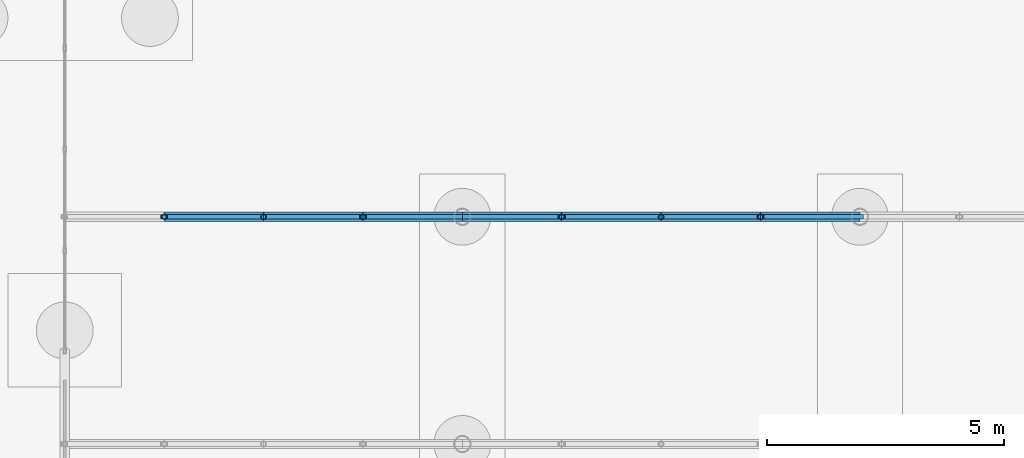
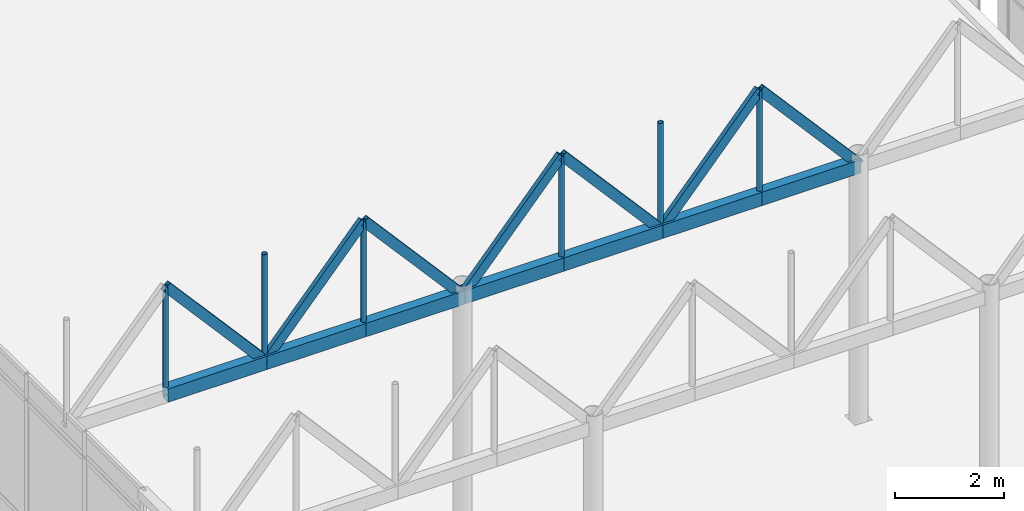
# One storey, part 124 of 212: 20 members.
"""IFC4 building model written with IfcOpenShell, lengths in metres."""

import ifcopenshell
import ifcopenshell.guid

model = None  # the IFC model being written
_history = None  # IfcOwnerHistory: only IFC2X3 demands one
_inside = {}  # id of a spatial element -> (the spatial element, [elements in it])
_under = {}  # id of a project, library or spatial element -> (it, [spatial elements below it])
_declared = {}  # id of a project -> (the project, [libraries it declares])
_typed = {}  # id of a type object -> (the type object, [elements of that type])
_made_of = {}  # id of a material, layer set ... -> (it, [elements and type objects made of it])


def new_model(schema):
    """Start an empty IFC model of exactly this schema.

    Asked for "IFC4X3", IfcOpenShell would pick the latest addendum, in which some entities
    have other attributes; the version numbers below select the first issue.
    IFC2X3 requires an IfcOwnerHistory on every rooted entity: one is made here for all.
    """
    global model, _history
    if schema == "IFC4X3":
        model = ifcopenshell.file(schema_version=(4, 3, 0, 0))
    else:
        model = ifcopenshell.file(schema=schema)
    _inside.clear()
    _under.clear()
    _declared.clear()
    _typed.clear()
    _made_of.clear()
    _history = None
    if model.schema == "IFC2X3":
        org = make("IfcOrganization", Name="unknown")
        user = make(
            "IfcPersonAndOrganization",
            ThePerson=make("IfcPerson", FamilyName="unknown"),
            TheOrganization=org,
        )
        app = make(
            "IfcApplication",
            ApplicationDeveloper=org,
            Version="unknown",
            ApplicationFullName="unknown",
            ApplicationIdentifier="unknown",
        )
        _history = make(
            "IfcOwnerHistory",
            OwningUser=user,
            OwningApplication=app,
            ChangeAction="ADDED",
            CreationDate=0,
        )
    return model


def make(cls, **values):
    """One entity of the class cls with the attributes given. An attribute that is None is left unset."""
    return model.create_entity(
        cls, **{name: value for name, value in values.items() if value is not None}
    )


def rooted(cls, **values):
    """An entity with a GlobalId (a new one), such as an element, a storey or a relation."""
    return make(cls, GlobalId=ifcopenshell.guid.new(), OwnerHistory=_history, **values)


def si_unit(unit_type, name, prefix=None):
    """IfcSIUnit, for example si_unit("LENGTHUNIT", "METRE", prefix="MILLI")."""
    return make("IfcSIUnit", UnitType=unit_type, Prefix=prefix, Name=name)


def assignment(units):
    """IfcUnitAssignment: the units of a project."""
    return None if units is None else make("IfcUnitAssignment", Units=units)


def point(xyz):
    """IfcCartesianPoint."""
    return None if xyz is None else make("IfcCartesianPoint", Coordinates=xyz)


def direction(xyz):
    """IfcDirection."""
    return None if xyz is None else make("IfcDirection", DirectionRatios=xyz)


def frame(location, z_axis=None, x_axis=None):
    """IfcAxis2Placement3D, a coordinate frame: its origin and axes. An axis left out is left unset."""
    return make(
        "IfcAxis2Placement3D",
        Location=point(location),
        Axis=direction(z_axis),
        RefDirection=direction(x_axis),
    )


def frame_2d(location, x_axis=None):
    """IfcAxis2Placement2D, a coordinate frame in the plane: its origin and x axis."""
    return make(
        "IfcAxis2Placement2D", Location=point(location), RefDirection=direction(x_axis)
    )


def origin():
    """The frame at (0, 0, 0) with its axes left unset."""
    return frame((0.0, 0.0, 0.0))


def origin_2d():
    """The frame at (0, 0) in the plane with its x axis left unset."""
    return frame_2d((0.0, 0.0))


def place(relative_to, where):
    """IfcLocalPlacement: puts the frame where relative to a parent placement (None: the world)."""
    return make(
        "IfcLocalPlacement", PlacementRelTo=relative_to, RelativePlacement=where
    )


def context(
    kind, dimensions, precision=None, world=None, true_north=None, identifier=None
):
    """IfcGeometricRepresentationContext, for example the 3D "Model" context."""
    return make(
        "IfcGeometricRepresentationContext",
        ContextIdentifier=identifier,
        ContextType=kind,
        CoordinateSpaceDimension=dimensions,
        Precision=precision,
        WorldCoordinateSystem=world,
        TrueNorth=true_north,
    )


def subcontext(parent, identifier, kind, view, scale=None):
    """IfcGeometricRepresentationSubContext, for example "Body" below "Model"."""
    return make(
        "IfcGeometricRepresentationSubContext",
        ContextIdentifier=identifier,
        ContextType=kind,
        ParentContext=parent,
        TargetScale=scale,
        TargetView=view,
    )


def project(units=None, contexts=None):
    """IfcProject with its units and contexts."""
    return rooted(
        "IfcProject",
        Name="project",
        RepresentationContexts=contexts,
        UnitsInContext=assignment(units),
    )


def spatial(cls, under=None, at=None, **own):
    """A site, building, storey or space (cls), placed at a placement, below another one or the project."""
    s = rooted(cls, ObjectPlacement=at, **own)
    if under is not None:
        _under.setdefault(under.id(), (under, []))[1].append(s)
    return s


def profile(cls, at=None, kind="AREA", **sizes):
    """A parametric profile (cls). Its sizes go by their IFC names, for example OverallWidth=200.0."""
    return make(cls, ProfileType=kind, Position=at, **sizes)


def hollow_rectangle(**sizes):
    """IfcRectangleHollowProfileDef."""
    return profile("IfcRectangleHollowProfileDef", **sizes)


def hollow_circle(**sizes):
    """IfcCircleHollowProfileDef."""
    return profile("IfcCircleHollowProfileDef", **sizes)


def extrude(swept, where, along, depth):
    """IfcExtrudedAreaSolid: the profile swept, set in the frame where, extruded along a direction by depth."""
    return make(
        "IfcExtrudedAreaSolid",
        SweptArea=swept,
        Position=where,
        ExtrudedDirection=direction(along),
        Depth=depth,
    )


def shape(context_of_items, identifier, shape_type, items):
    """IfcShapeRepresentation: the items that make up one representation, for example the "Body"."""
    return make(
        "IfcShapeRepresentation",
        ContextOfItems=context_of_items,
        RepresentationIdentifier=identifier,
        RepresentationType=shape_type,
        Items=items,
    )


def material(Name=None, Category=None):
    """IfcMaterial."""
    return make("IfcMaterial", Name=Name, Category=Category)


def material_profile(
    of_material, cross_section, Name=None, Category=None, Priority=None
):
    """IfcMaterialProfile: a cross section and its material."""
    return make(
        "IfcMaterialProfile",
        Name=Name,
        Material=of_material,
        Profile=cross_section,
        Priority=Priority,
        Category=Category,
    )


def profile_set(profiles, Name=None, composite=None):
    """IfcMaterialProfileSet."""
    return make(
        "IfcMaterialProfileSet",
        Name=Name,
        MaterialProfiles=profiles,
        CompositeProfile=composite,
    )


def made_of(thing, what):
    """Note that an element or type object is made of a material, layer set ...; save() writes the relation."""
    if what is not None:
        _made_of.setdefault(what.id(), (what, []))[1].append(thing)
    return thing


def type_object(cls, material=None, **own):
    """A type object (cls), such as IfcWallType, which elements share."""
    return made_of(rooted(cls, **own), material)


def element(
    cls,
    number,
    at=None,
    inside=None,
    cuts=None,
    type_object=None,
    material=None,
    context=None,
    identifier="Body",
    shape_type=None,
    held_by="IfcProductDefinitionShape",
    body=None,
    shapes=None,
    **own,
):
    """One element of the class cls, such as IfcWall. Its Tag is "e" and its number.

    at: its placement. inside: the storey or other place that contains it. cuts: it is an
    opening in that element (IfcRelVoidsElement). A single representation is given by context,
    identifier, shape_type and body (its items); several are given by shapes. held_by: the class
    of the entity that holds the representations. save() writes the other relations.
    """
    e = rooted(cls, Tag="e%d" % number, ObjectPlacement=at, **own)
    if body is not None:
        shapes = [shape(context, identifier, shape_type, body)]
    if shapes is not None:
        e.Representation = make(held_by, Representations=shapes)
    if inside is not None:
        _inside.setdefault(inside.id(), (inside, []))[1].append(e)
    if cuts is not None:
        rooted(
            "IfcRelVoidsElement", RelatingBuildingElement=cuts, RelatedOpeningElement=e
        )
    if type_object is not None:
        _typed.setdefault(type_object.id(), (type_object, []))[1].append(e)
    return made_of(e, material)


def aggregate(whole, parts):
    """IfcRelAggregates: a whole, such as a stair, and the parts it consists of."""
    return rooted("IfcRelAggregates", RelatingObject=whole, RelatedObjects=parts)


def save(model, path):
    """Write the relations noted so far, then the file.

    IfcRelAggregates (storeys below a building ...), IfcRelContainedInSpatialStructure (elements
    in a storey), IfcRelDefinesByType, IfcRelAssociatesMaterial and IfcRelDeclares: one each for
    every whole, place, type object, material and project.
    """
    for whole, parts in _under.values():
        aggregate(whole, parts)
    for where, things in _inside.values():
        rooted(
            "IfcRelContainedInSpatialStructure",
            RelatedElements=things,
            RelatingStructure=where,
        )
    for kind, things in _typed.values():
        rooted("IfcRelDefinesByType", RelatedObjects=things, RelatingType=kind)
    for what, things in _made_of.values():
        rooted("IfcRelAssociatesMaterial", RelatedObjects=things, RelatingMaterial=what)
    for by, libraries in _declared.values():
        rooted("IfcRelDeclares", RelatingContext=by, RelatedDefinitions=libraries)
    model.write(path)


model = new_model("IFC4")

# Units and contexts
model_context = context("Model", 3, precision=1e-05, world=origin(), true_north=direction((0.0, 1.0)))
body_context = subcontext(model_context, "Body", "Model", "MODEL_VIEW")
ifc_project = project(units=[si_unit("LENGTHUNIT", "METRE"), si_unit("AREAUNIT", "SQUARE_METRE"), si_unit("VOLUMEUNIT", "CUBIC_METRE"), si_unit("PLANEANGLEUNIT", "RADIAN"), si_unit("MASSUNIT", "GRAM", prefix="KILO")], contexts=[model_context])

# Site, building, storey
site_placement = place(None, origin())
site = spatial("IfcSite", under=ifc_project, at=site_placement, CompositionType="ELEMENT")
building_placement = place(site_placement, origin())
building = spatial("IfcBuilding", under=site, at=building_placement, Name="Catenary Quay Ferry Terminal", CompositionType="ELEMENT")
storey_placement = place(building_placement, origin())
storey = spatial("IfcBuildingStorey", under=building, at=storey_placement, Name="L00", CompositionType="ELEMENT", Elevation=0.0)

# Members
ifc_material_1 = material(Name="Steel S355", Category="steel")
ifc_material_profile_1 = material_profile(ifc_material_1, hollow_rectangle(XDim=0.10009765625, YDim=0.199951171875, WallThickness=0.008056640625, at=origin_2d()), Name="RHS 200x100x8")
ifc_profile_set_1 = profile_set([ifc_material_profile_1], Name="Steel S355")
member_type_1 = type_object("IfcMemberType", Name="BR3 RHS 200x100x8", PredefinedType="BRACE", material=ifc_profile_set_1)
member_1_placement = place(storey_placement, frame((94.5, 94.800048828125, 8.10009765625), z_axis=(0.65849918825, 0.0, -0.752581436839), x_axis=(0.0, 1.0, 0.0)))
element("IfcMember", 1, at=member_1_placement, inside=storey, type_object=member_type_1, Name="Bridge diagonal BB2N-D02", PredefinedType="BRACE", context=body_context, shape_type="SweptSolid", body=[
    extrude(hollow_rectangle(XDim=0.10009765625, YDim=0.199951171875, WallThickness=0.008056640625, at=origin_2d()), origin(), (0.0, 0.0, 1.0), 3.189208984375),
])
member_2_placement = place(storey_placement, frame((96.60009765625, 94.800048828125, 5.699951171875), z_axis=(0.658455827614, 0.0, 0.752619374639), x_axis=(0.0, 1.0, 0.0)))
element("IfcMember", 2, at=member_2_placement, inside=storey, type_object=member_type_1, Name="Bridge diagonal BB2N-D03", PredefinedType="BRACE", context=body_context, shape_type="SweptSolid", body=[
    extrude(hollow_rectangle(XDim=0.10009765625, YDim=0.199951171875, WallThickness=0.008056640625, at=origin_2d()), origin(), (0.0, 0.0, 1.0), 3.18896484375),
])
member_3_placement = place(storey_placement, frame((98.699951171875, 94.800048828125, 8.10009765625), z_axis=(0.65849918825, 0.0, -0.752581436839), x_axis=(0.0, 1.0, 0.0)))
element("IfcMember", 3, at=member_3_placement, inside=storey, type_object=member_type_1, Name="Bridge diagonal BB2N-D04", PredefinedType="BRACE", context=body_context, shape_type="SweptSolid", body=[
    extrude(hollow_rectangle(XDim=0.10009765625, YDim=0.199951171875, WallThickness=0.008056640625, at=origin_2d()), origin(), (0.0, 0.0, 1.0), 3.189208984375),
])
member_4_placement = place(storey_placement, frame((100.800048828125, 94.800048828125, 5.699951171875), z_axis=(0.658455827614, 0.0, 0.752619374639), x_axis=(0.0, 1.0, 0.0)))
element("IfcMember", 4, at=member_4_placement, inside=storey, type_object=member_type_1, Name="Bridge diagonal BB2N-D05", PredefinedType="BRACE", context=body_context, shape_type="SweptSolid", body=[
    extrude(hollow_rectangle(XDim=0.10009765625, YDim=0.199951171875, WallThickness=0.008056640625, at=origin_2d()), origin(), (0.0, 0.0, 1.0), 3.18896484375),
])
for number, where, z_axis, x_axis, name in (
    (5, (102.89990234375, 94.800048828125, 8.10009765625), (0.65849918825, 0.0, -0.752581436839), (0.0, 1.0, 0.0), "Bridge diagonal BB2N-D06"),
    (6, (105.0, 94.800048828125, 5.699951171875), (0.65849918825, 0.0, 0.752581436839), (0.0, 1.0, 0.0), "Bridge diagonal BB2N-D07"),
):
    element("IfcMember", number, at=place(storey_placement, frame(where, z_axis=z_axis, x_axis=x_axis)), inside=storey, type_object=member_type_1, Name=name, PredefinedType="BRACE", context=body_context, shape_type="SweptSolid", body=[
        extrude(hollow_rectangle(XDim=0.10009765625, YDim=0.199951171875, WallThickness=0.008056640625, at=origin_2d()), origin(), (0.0, 0.0, 1.0), 3.189208984375),
    ])
member_5_placement = place(storey_placement, frame((107.10009765625, 94.800048828125, 8.10009765625), z_axis=(0.658455827614, 0.0, -0.752619374639), x_axis=(0.0, 1.0, 0.0)))
element("IfcMember", 7, at=member_5_placement, inside=storey, type_object=member_type_1, Name="Bridge diagonal BB2N-D08", PredefinedType="BRACE", context=body_context, shape_type="SweptSolid", body=[
    extrude(hollow_rectangle(XDim=0.10009765625, YDim=0.199951171875, WallThickness=0.008056640625, at=origin_2d()), origin(), (0.0, 0.0, 1.0), 3.18896484375),
])
ifc_material_2 = material(Name="Steel S355", Category="steel")
ifc_material_profile_2 = material_profile(ifc_material_2, hollow_circle(Radius=0.05712890625, WallThickness=0.00634765625, at=origin_2d()), Name="CHS 114.3x6.3")
ifc_profile_set_2 = profile_set([ifc_material_profile_2], Name="Steel S355")
member_type_2 = type_object("IfcMemberType", Name="HG1 CHS 114.3x6.3", PredefinedType="POST", material=ifc_profile_set_2)
for number, where, z_axis, x_axis, name in (
    (8, (94.5, 94.800048828125, 5.699951171875), (0.0, 0.0, 1.0), (1.0, 0.0, 0.0), "Bridge post BB2N-P02"),
    (9, (96.60009765625, 94.800048828125, 5.699951171875), (0.0, 0.0, 1.0), (1.0, 0.0, 0.0), "Bridge post BB2N-P03"),
    (10, (98.699951171875, 94.800048828125, 5.699951171875), (0.0, 0.0, 1.0), (1.0, 0.0, 0.0), "Bridge post BB2N-P04"),
    (11, (102.89990234375, 94.800048828125, 5.699951171875), (0.0, 0.0, 1.0), (1.0, 0.0, 0.0), "Bridge post BB2N-P06"),
    (12, (105.0, 94.800048828125, 5.699951171875), (0.0, 0.0, 1.0), (1.0, 0.0, 0.0), "Bridge post BB2N-P07"),
    (13, (107.10009765625, 94.800048828125, 5.699951171875), (0.0, 0.0, 1.0), (1.0, 0.0, 0.0), "Bridge post BB2N-P08"),
):
    element("IfcMember", number, at=place(storey_placement, frame(where, z_axis=z_axis, x_axis=x_axis)), inside=storey, type_object=member_type_2, Name=name, PredefinedType="POST", context=body_context, shape_type="SweptSolid", body=[
        extrude(hollow_circle(Radius=0.05712890625, WallThickness=0.00634765625, at=origin_2d()), origin(), (0.0, 0.0, 1.0), 2.400146484375),
    ])
ifc_material_3 = material(Name="Steel S355", Category="steel")
ifc_material_profile_3 = material_profile(ifc_material_3, hollow_rectangle(XDim=0.199951171875, YDim=0.300048828125, WallThickness=0.012451171875, at=origin_2d()), Name="RHS 300x200x12.5")
ifc_profile_set_3 = profile_set([ifc_material_profile_3], Name="Steel S355")
member_type_3 = type_object("IfcMemberType", Name="TC1 RHS 300x200x12.5", PredefinedType="CHORD", material=ifc_profile_set_3)
member_6_placement = place(storey_placement, frame((94.5, 94.800048828125, 5.699951171875), z_axis=(1.0, 0.0, 0.0), x_axis=(0.0, 1.0, 0.0)))
element("IfcMember", 14, at=member_6_placement, inside=storey, type_object=member_type_3, Name="Bridge bottom chord BB2N-BC02", PredefinedType="CHORD", context=body_context, shape_type="SweptSolid", body=[
    extrude(hollow_rectangle(XDim=0.199951171875, YDim=0.300048828125, WallThickness=0.012451171875, at=origin_2d()), origin(), (0.0, 0.0, 1.0), 2.10009765625),
])
member_7_placement = place(storey_placement, frame((96.60009765625, 94.800048828125, 5.699951171875), z_axis=(1.0, 0.0, 0.0), x_axis=(0.0, 1.0, 0.0)))
element("IfcMember", 15, at=member_7_placement, inside=storey, type_object=member_type_3, Name="Bridge bottom chord BB2N-BC03", PredefinedType="CHORD", context=body_context, shape_type="SweptSolid", body=[
    extrude(hollow_rectangle(XDim=0.199951171875, YDim=0.300048828125, WallThickness=0.012451171875, at=origin_2d()), origin(), (0.0, 0.0, 1.0), 2.099853515625),
])
member_8_placement = place(storey_placement, frame((98.699951171875, 94.800048828125, 5.699951171875), z_axis=(1.0, 0.0, 0.0), x_axis=(0.0, 1.0, 0.0)))
element("IfcMember", 16, at=member_8_placement, inside=storey, type_object=member_type_3, Name="Bridge bottom chord BB2N-BC04", PredefinedType="CHORD", context=body_context, shape_type="SweptSolid", body=[
    extrude(hollow_rectangle(XDim=0.199951171875, YDim=0.300048828125, WallThickness=0.012451171875, at=origin_2d()), origin(), (0.0, 0.0, 1.0), 2.10009765625),
])
member_9_placement = place(storey_placement, frame((100.800048828125, 94.800048828125, 5.699951171875), z_axis=(1.0, 0.0, 0.0), x_axis=(0.0, 1.0, 0.0)))
element("IfcMember", 17, at=member_9_placement, inside=storey, type_object=member_type_3, Name="Bridge bottom chord BB2N-BC05", PredefinedType="CHORD", context=body_context, shape_type="SweptSolid", body=[
    extrude(hollow_rectangle(XDim=0.199951171875, YDim=0.300048828125, WallThickness=0.012451171875, at=origin_2d()), origin(), (0.0, 0.0, 1.0), 2.099853515625),
])
for number, where, z_axis, x_axis, name in (
    (18, (102.89990234375, 94.800048828125, 5.699951171875), (1.0, 0.0, 0.0), (0.0, 1.0, 0.0), "Bridge bottom chord BB2N-BC06"),
    (19, (105.0, 94.800048828125, 5.699951171875), (1.0, 0.0, 0.0), (0.0, 1.0, 0.0), "Bridge bottom chord BB2N-BC07"),
):
    element("IfcMember", number, at=place(storey_placement, frame(where, z_axis=z_axis, x_axis=x_axis)), inside=storey, type_object=member_type_3, Name=name, PredefinedType="CHORD", context=body_context, shape_type="SweptSolid", body=[
        extrude(hollow_rectangle(XDim=0.199951171875, YDim=0.300048828125, WallThickness=0.012451171875, at=origin_2d()), origin(), (0.0, 0.0, 1.0), 2.10009765625),
    ])
member_10_placement = place(storey_placement, frame((107.10009765625, 94.800048828125, 5.699951171875), z_axis=(1.0, 0.0, 0.0), x_axis=(0.0, 1.0, 0.0)))
element("IfcMember", 20, at=member_10_placement, inside=storey, type_object=member_type_3, Name="Bridge bottom chord BB2N-BC08", PredefinedType="CHORD", context=body_context, shape_type="SweptSolid", body=[
    extrude(hollow_rectangle(XDim=0.199951171875, YDim=0.300048828125, WallThickness=0.012451171875, at=origin_2d()), origin(), (0.0, 0.0, 1.0), 2.099853515625),
])

save(model, "model.ifc")
